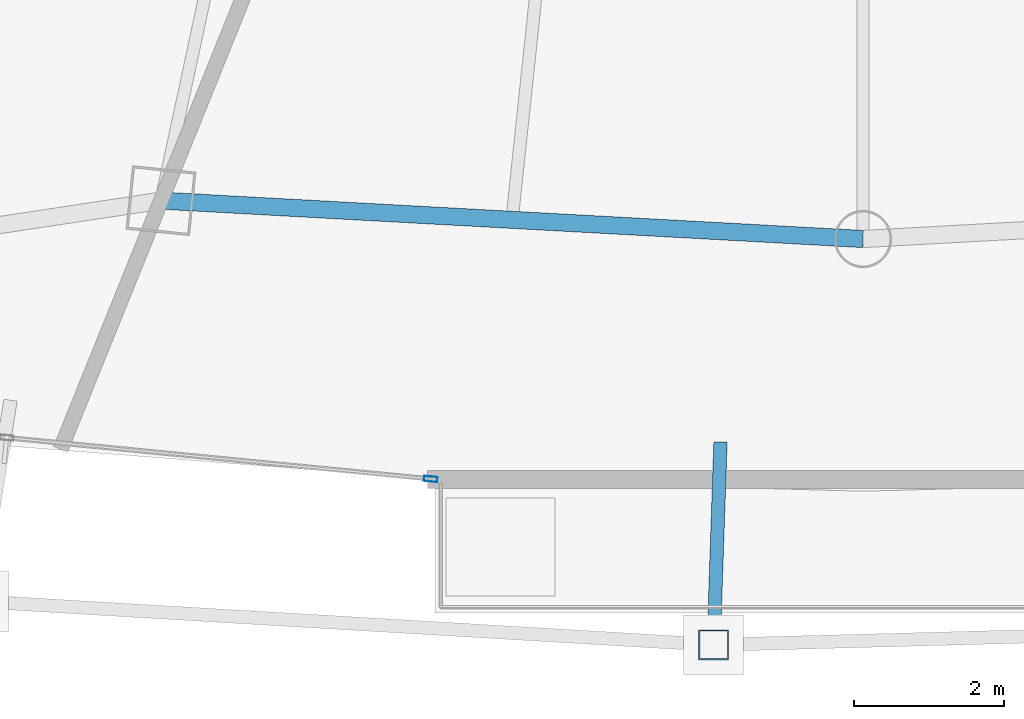
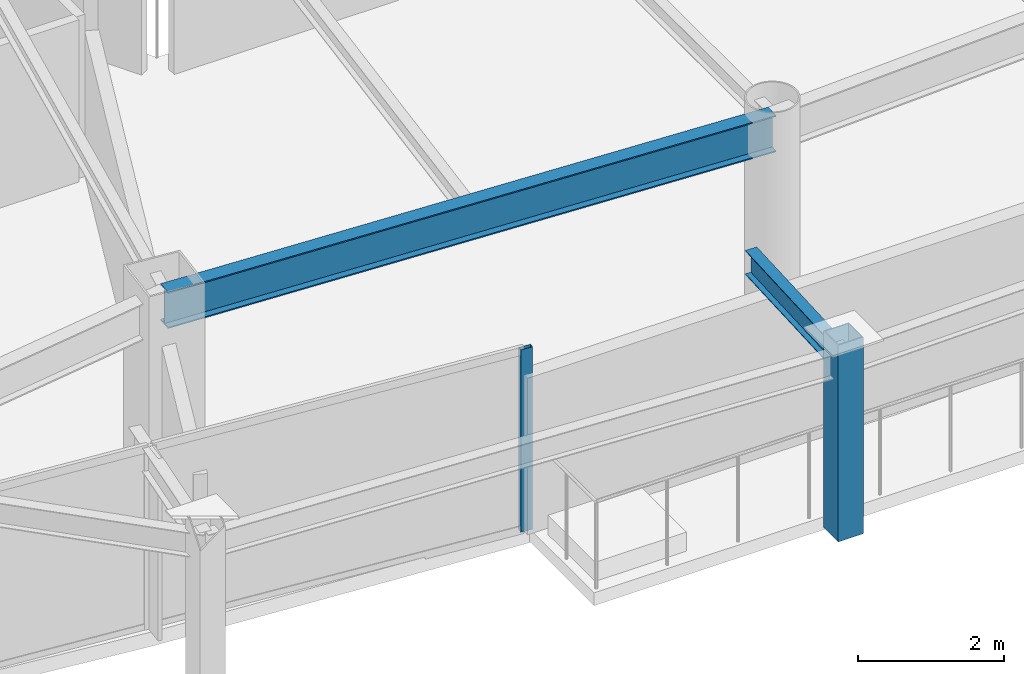
# One storey, part 7 of 31: 2 beams, 2 members, 1 element without a shape of its own.
"""IFC4 building model written with IfcOpenShell, lengths in metres."""

from ifc_helpers import new_model, si_unit, direction, frame, origin, origin_2d, place, context, subcontext, project, spatial, hollow_rectangle, i_section, extrude, material, layer, layer_set, material_profile, profile_set, type_object, element, aggregate, save


model = new_model("IFC4")

# Units and contexts
model_context = context("Model", 3, precision=1e-05, world=origin(), true_north=direction((0.0, 1.0)))
body_context = subcontext(model_context, "Body", "Model", "MODEL_VIEW")
ifc_project = project(units=[si_unit("LENGTHUNIT", "METRE"), si_unit("AREAUNIT", "SQUARE_METRE"), si_unit("VOLUMEUNIT", "CUBIC_METRE"), si_unit("PLANEANGLEUNIT", "RADIAN"), si_unit("MASSUNIT", "GRAM", prefix="KILO")], contexts=[model_context])

# Site, building, storey
site_placement = place(None, origin())
site = spatial("IfcSite", under=ifc_project, at=site_placement, CompositionType="ELEMENT")
building_placement = place(site_placement, origin())
building = spatial("IfcBuilding", under=site, at=building_placement, Name="Orvanel Arch Residences", CompositionType="ELEMENT")
storey_placement = place(building_placement, frame((0.0, 0.0, 157.25)))
storey = spatial("IfcBuildingStorey", under=building, at=storey_placement, Name="L44", CompositionType="ELEMENT", Elevation=157.25)

# Curtain wall, member
ifc_material_1 = material(Name="Bronze-anodised aluminium AA6063-T6", Category="aluminium")
ifc_layer = layer(ifc_material_1, 0.179931640625)
ifc_layer_set = layer_set([ifc_layer], Name="Bronze-anodised aluminium AA6063-T6")
curtain_wall_type = type_object("IfcCurtainWallType", Name="CW3-MID-SYS", PredefinedType="NOTDEFINED", material=ifc_layer_set)
curtain_wall_placement = place(storey_placement, origin())
curtain_wall = element("IfcCurtainWall", 1, at=curtain_wall_placement, inside=storey, type_object=curtain_wall_type, Name="L44 CW3-MID-SYS Unitised Curtain Wall", PredefinedType="NOTDEFINED")
ifc_material_profile_1 = material_profile(ifc_material_1, hollow_rectangle(XDim=0.070068359375, YDim=0.179931640625, WallThickness=0.00439453125, at=origin_2d()), Name="ALU180x70x4.5")
ifc_profile_set_1 = profile_set([ifc_material_profile_1], Name="Bronze-anodised aluminium AA6063-T6")
member_type_1 = type_object("IfcMemberType", Name="MUL-180x70", PredefinedType="MULLION", material=ifc_profile_set_1)
member_1_placement = place(storey_placement, frame((27.2412109375, 3.646484375, 0.0), z_axis=(0.0, 0.0, 1.0), x_axis=(0.097085158831, 0.995276078249, 0.0)))
member_1 = element("IfcMember", 2, at=member_1_placement, type_object=member_type_1, Name="CW-S3 mullion 3", PredefinedType="MULLION", context=body_context, shape_type="SweptSolid", body=[
    extrude(hollow_rectangle(XDim=0.070068359375, YDim=0.179931640625, WallThickness=0.00439453125, at=origin_2d()), origin(), (0.0, 0.0, 1.0), 3.06005859375),
])
aggregate(curtain_wall, [member_1])

# Beams
ifc_material_2 = material(Name="Structural steel AS/NZS 3679.1 Grade 300 (300 MPa)", Category="steel")
ifc_material_profile_2 = material_profile(ifc_material_2, i_section(OverallWidth=0.177978515625, OverallDepth=0.406005859375, WebThickness=0.0078125, FlangeThickness=0.0126953125, at=origin_2d()), Name="410UB59.7")
ifc_profile_set_2 = profile_set([ifc_material_profile_2], Name="Structural steel AS/NZS 3679.1 Grade 300 (300 MPa)")
beam_type_1 = type_object("IfcBeamType", Name="OB-410UB-EXT", PredefinedType="SPANDREL", material=ifc_profile_set_2)
beam_1_placement = place(storey_placement, frame((31.10205078125, 4.139892578125, 2.85693359375), z_axis=(-0.034045490843, -0.999420284241, 0.0), x_axis=(0.999420284241, -0.034045490843, 0.0)))
element("IfcBeam", 3, at=beam_1_placement, inside=storey, type_object=beam_type_1, Name="L44 Outer Frame Radial Tie Beam 06", PredefinedType="SPANDREL", context=body_context, shape_type="SweptSolid", body=[
    extrude(i_section(OverallWidth=0.177978515625, OverallDepth=0.406005859375, WebThickness=0.0078125, FlangeThickness=0.0126953125, at=origin_2d()), origin(), (0.0, 0.0, 1.0), 2.703369140625),
])
ifc_material_profile_3 = material_profile(ifc_material_2, i_section(OverallWidth=0.22900390625, OverallDepth=0.612060546875, WebThickness=0.011962890625, FlangeThickness=0.01953125, at=origin_2d()), Name="610UB125")
ifc_profile_set_3 = profile_set([ifc_material_profile_3], Name="Structural steel AS/NZS 3679.1 Grade 300 (300 MPa)")
beam_type_2 = type_object("IfcBeamType", Name="SP-610UB", PredefinedType="SPANDREL", material=ifc_profile_set_3)
beam_2_placement = place(storey_placement, frame((23.64892578125, 7.35498046875, 2.75390625), z_axis=(0.998510315598, -0.054563262768, 0.0), x_axis=(0.054563262768, 0.998510315598, 0.0)))
element("IfcBeam", 4, at=beam_2_placement, inside=storey, type_object=beam_type_2, Name="L44 Perimeter Spandrel Beam 05", PredefinedType="SPANDREL", context=body_context, shape_type="SweptSolid", body=[
    extrude(i_section(OverallWidth=0.22900390625, OverallDepth=0.612060546875, WebThickness=0.011962890625, FlangeThickness=0.01953125, at=origin_2d()), origin(), (0.0, 0.0, 1.0), 9.364990234375),
])

# Member
ifc_material_3 = material(Name="Structural steel AS/NZS 1163 C450L0 (Grade 450)", Category="steel")
ifc_material_profile_4 = material_profile(ifc_material_3, hollow_rectangle(XDim=0.39990234375, YDim=0.39990234375, WallThickness=0.01611328125, at=origin_2d()), Name="SHS400x400x16")
ifc_profile_set_4 = profile_set([ifc_material_profile_4], Name="Structural steel AS/NZS 1163 C450L0 (Grade 450)")
member_type_2 = type_object("IfcMemberType", Name="ST-400SHS-EXT", PredefinedType="STRUT", material=ifc_profile_set_4)
member_2_placement = place(storey_placement, frame((31.010009765625, 1.43798828125, 0.0), z_axis=(0.0, 0.0, 1.0), x_axis=(1.0, 0.0, 0.0)))
element("IfcMember", 5, at=member_2_placement, inside=storey, type_object=member_type_2, Name="L44 Outer Perimeter Frame Post 06", PredefinedType="STRUT", context=body_context, shape_type="SweptSolid", body=[
    extrude(hollow_rectangle(XDim=0.39990234375, YDim=0.39990234375, WallThickness=0.01611328125, at=origin_2d()), origin(), (0.0, 0.0, 1.0), 3.300048828125),
])

save(model, "model.ifc")
